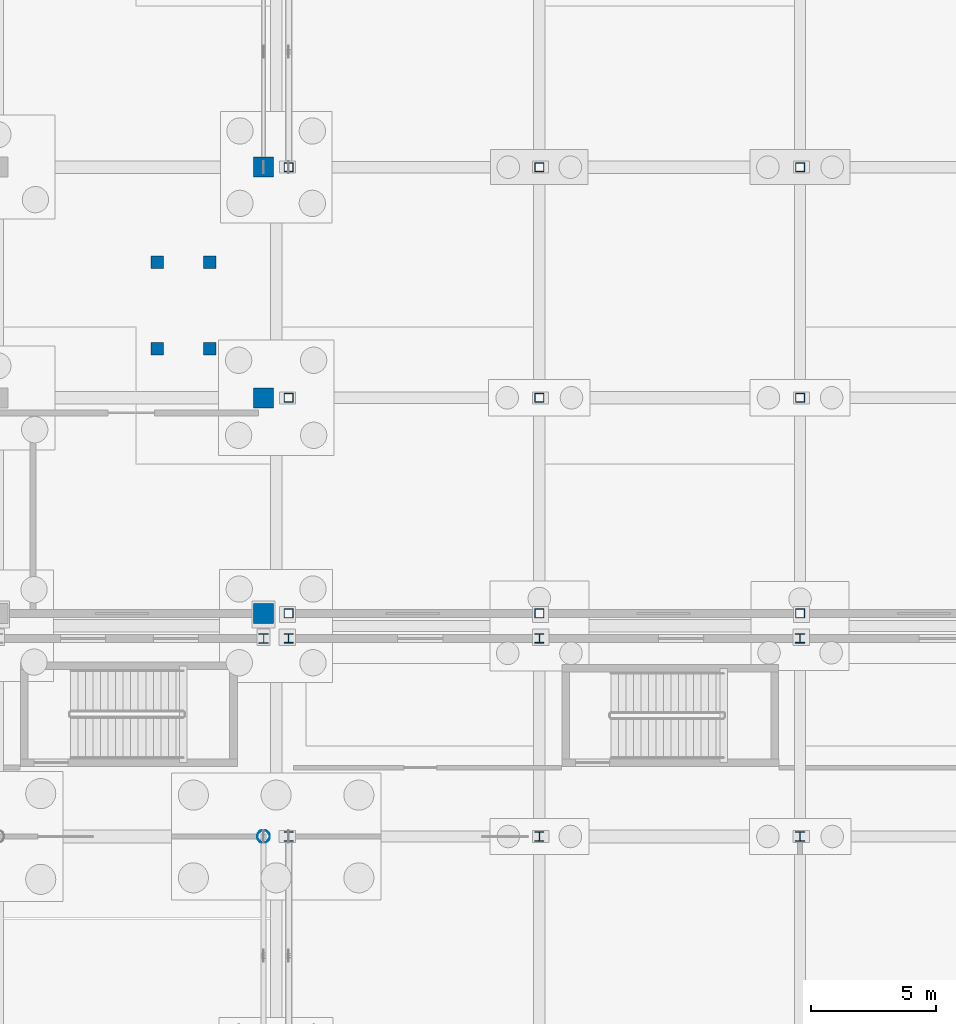
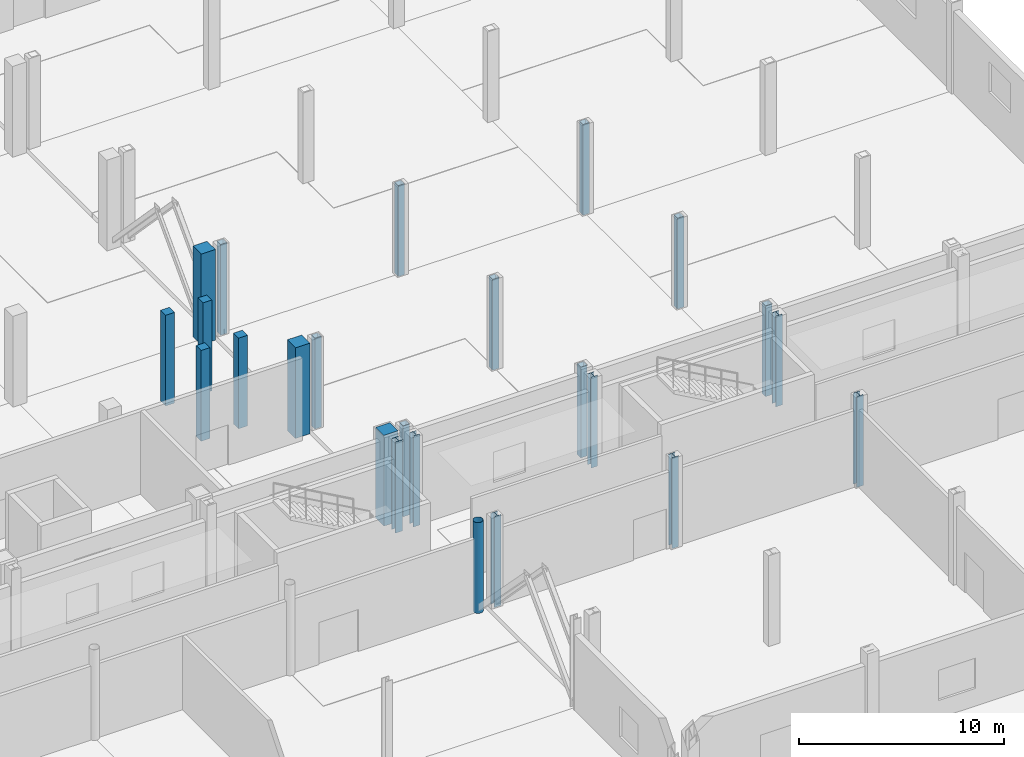
# One storey, part 32 of 83: 24 columns.
"""IFC4 building model written with IfcOpenShell, lengths in metres."""

from ifc_helpers import new_model, si_unit, direction, frame, origin, origin_2d, place, context, subcontext, project, spatial, rectangle, hollow_rectangle, hollow_circle, i_section, extrude, material, material_profile, profile_set, type_object, element, save


model = new_model("IFC4")

# Units and contexts
model_context = context("Model", 3, precision=1e-05, world=origin(), true_north=direction((0.0, 1.0)))
body_context = subcontext(model_context, "Body", "Model", "MODEL_VIEW")
ifc_project = project(units=[si_unit("LENGTHUNIT", "METRE"), si_unit("AREAUNIT", "SQUARE_METRE"), si_unit("VOLUMEUNIT", "CUBIC_METRE"), si_unit("PLANEANGLEUNIT", "RADIAN"), si_unit("MASSUNIT", "GRAM", prefix="KILO")], contexts=[model_context])

# Site, building, storey
site_placement = place(None, origin())
site = spatial("IfcSite", under=ifc_project, at=site_placement, CompositionType="ELEMENT")
building_placement = place(site_placement, origin())
building = spatial("IfcBuilding", under=site, at=building_placement, Name="Caurita Quay Ferry Terminal", CompositionType="ELEMENT")
storey_placement = place(building_placement, origin())
storey = spatial("IfcBuildingStorey", under=building, at=storey_placement, Name="L00", CompositionType="ELEMENT", Elevation=0.0)

# Columns
ifc_material_1 = material(Name="Hollow structural steel ASTM A500 Gr. C", Category="steel")
ifc_material_profile_1 = material_profile(ifc_material_1, hollow_rectangle(XDim=0.35595703125, YDim=0.35595703125, WallThickness=0.01171875, at=origin_2d()), Name="HSS14X14X1/2")
ifc_profile_set_1 = profile_set([ifc_material_profile_1], Name="Hollow structural steel ASTM A500 Gr. C")
column_type_1 = type_object("IfcColumnType", Name="COL-HSS-01", PredefinedType="COLUMN", material=ifc_profile_set_1)
for number, where, z_axis, x_axis, name in (
    (1, (132.800048828125, 71.60009765625, 0.0), (0.0, 0.0, 1.0), (1.0, 0.0, 0.0), "L00 Column V4-15-L"),
    (2, (132.800048828125, 80.199951171875, 0.0), (0.0, 0.0, 1.0), (1.0, 0.0, 0.0), "L00 Column V4-15-M"),
    (3, (132.800048828125, 89.39990234375, 0.0), (0.0, 0.0, 1.0), (1.0, 0.0, 0.0), "L00 Column V4-15-N"),
    (4, (142.800048828125, 71.60009765625, 0.0), (0.0, 0.0, 1.0), (1.0, 0.0, 0.0), "L00 Column V4-16-L"),
    (5, (142.800048828125, 80.199951171875, 0.0), (0.0, 0.0, 1.0), (1.0, 0.0, 0.0), "L00 Column V4-16-M"),
    (6, (142.800048828125, 89.39990234375, 0.0), (0.0, 0.0, 1.0), (1.0, 0.0, 0.0), "L00 Column V4-16-N"),
    (7, (153.199951171875, 71.60009765625, 0.0), (0.0, 0.0, 1.0), (1.0, 0.0, 0.0), "L00 Column V4-17-L"),
    (8, (153.199951171875, 80.199951171875, 0.0), (0.0, 0.0, 1.0), (1.0, 0.0, 0.0), "L00 Column V4-17-M"),
    (9, (153.199951171875, 89.39990234375, 0.0), (0.0, 0.0, 1.0), (1.0, 0.0, 0.0), "L00 Column V4-17-N"),
):
    element("IfcColumn", number, at=place(storey_placement, frame(where, z_axis=z_axis, x_axis=x_axis)), inside=storey, type_object=column_type_1, Name=name, PredefinedType="COLUMN", context=body_context, shape_type="SweptSolid", body=[
        extrude(hollow_rectangle(XDim=0.35595703125, YDim=0.35595703125, WallThickness=0.01171875, at=origin_2d()), origin(), (0.0, 0.0, 1.0), 5.39990234375),
    ])
ifc_material_profile_2 = material_profile(ifc_material_1, hollow_circle(Radius=0.25390625, WallThickness=0.01171875, at=origin_2d()), Name="HSS20.000X0.500")
ifc_profile_set_2 = profile_set([ifc_material_profile_2], Name="Hollow structural steel ASTM A500 Gr. C")
column_type_2 = type_object("IfcColumnType", Name="COL-MST-01", PredefinedType="COLUMN", material=ifc_profile_set_2)
column_1_placement = place(storey_placement, frame((131.800048828125, 62.699951171875, 0.0), z_axis=(0.0, 0.0, 1.0), x_axis=(1.0, 0.0, 0.0)))
element("IfcColumn", 10, at=column_1_placement, inside=storey, type_object=column_type_2, Name="L00 Column V2-MST-14-N", PredefinedType="COLUMN", context=body_context, shape_type="SweptSolid", body=[
    extrude(hollow_circle(Radius=0.25390625, WallThickness=0.01171875, at=origin_2d()), origin(), (0.0, 0.0, 1.0), 5.39990234375),
])
ifc_material_2 = material(Name="Reinforced concrete C35/45", Category="concrete")
ifc_material_profile_3 = material_profile(ifc_material_2, rectangle(XDim=0.5, YDim=0.5, at=origin_2d()), Name="RC-COL-500X500")
ifc_profile_set_3 = profile_set([ifc_material_profile_3], Name="Reinforced concrete C35/45")
column_type_3 = type_object("IfcColumnType", Name="COL-RC-500", PredefinedType="COLUMN", material=ifc_profile_set_3)
for number, where, z_axis, x_axis, name in (
    (11, (127.550048828125, 82.14990234375, 0.0), (0.0, 0.0, 1.0), (1.0, 0.0, 0.0), "L00 Promenade Stair ST-13 Column SW"),
    (12, (127.550048828125, 85.610107421875, 0.0), (0.0, 0.0, 1.0), (1.0, 0.0, 0.0), "L00 Promenade Stair ST-13 Column NW"),
    (13, (129.64990234375, 82.14990234375, 0.0), (0.0, 0.0, 1.0), (1.0, 0.0, 0.0), "L00 Promenade Stair ST-13 Column SE"),
    (14, (129.64990234375, 85.610107421875, 0.0), (0.0, 0.0, 1.0), (1.0, 0.0, 0.0), "L00 Promenade Stair ST-13 Column NE"),
):
    element("IfcColumn", number, at=place(storey_placement, frame(where, z_axis=z_axis, x_axis=x_axis)), inside=storey, type_object=column_type_3, Name=name, PredefinedType="COLUMN", context=body_context, shape_type="SweptSolid", body=[
        extrude(rectangle(XDim=0.5, YDim=0.5, at=origin_2d()), origin(), (0.0, 0.0, 1.0), 5.39990234375),
    ])
ifc_material_3 = material(Name="Marine reinforced concrete C40/50", Category="concrete")
ifc_material_profile_4 = material_profile(ifc_material_3, rectangle(XDim=0.800048828125, YDim=0.800048828125, at=origin_2d()), Name="RC-COL-800X800")
ifc_profile_set_4 = profile_set([ifc_material_profile_4], Name="Marine reinforced concrete C40/50")
column_type_4 = type_object("IfcColumnType", Name="COL-RC-800", PredefinedType="COLUMN", material=ifc_profile_set_4)
for number, where, z_axis, x_axis, name in (
    (15, (131.800048828125, 71.60009765625, 0.0), (0.0, 0.0, 1.0), (1.0, 0.0, 0.0), "L00 Column V4-14-L"),
    (16, (131.800048828125, 80.199951171875, 0.0), (0.0, 0.0, 1.0), (1.0, 0.0, 0.0), "L00 Column V4-14-M"),
    (17, (131.800048828125, 89.39990234375, 0.0), (0.0, 0.0, 1.0), (1.0, 0.0, 0.0), "L00 Column V4-14-N"),
):
    element("IfcColumn", number, at=place(storey_placement, frame(where, z_axis=z_axis, x_axis=x_axis)), inside=storey, type_object=column_type_4, Name=name, PredefinedType="COLUMN", context=body_context, shape_type="SweptSolid", body=[
        extrude(rectangle(XDim=0.800048828125, YDim=0.800048828125, at=origin_2d()), origin(), (0.0, 0.0, 1.0), 5.39990234375),
    ])
ifc_material_4 = material(Name="Structural steel ASTM A992 Gr. 50", Category="steel")
ifc_material_profile_5 = material_profile(ifc_material_4, i_section(OverallWidth=0.398681640625, OverallDepth=0.393798828125, WebThickness=0.022705078125, FlangeThickness=0.03662109375, FilletRadius=0.017822265625, at=origin_2d()), Name="W14X193")
ifc_profile_set_5 = profile_set([ifc_material_profile_5], Name="Structural steel ASTM A992 Gr. 50")
column_type_5 = type_object("IfcColumnType", Name="COL-STL-04", PredefinedType="COLUMN", material=ifc_profile_set_5)
column_2_placement = place(storey_placement, frame((131.800048828125, 70.60009765625, 0.0), z_axis=(0.0, 0.0, 1.0), x_axis=(1.0, 0.0, 0.0)))
element("IfcColumn", 18, at=column_2_placement, inside=storey, type_object=column_type_5, Name="L00 Column V2-NTH-14-K", PredefinedType="COLUMN", context=body_context, shape_type="SweptSolid", body=[
    extrude(i_section(OverallWidth=0.398681640625, OverallDepth=0.393798828125, WebThickness=0.022705078125, FlangeThickness=0.03662109375, FilletRadius=0.017822265625, at=origin_2d()), origin(), (0.0, 0.0, 1.0), 5.39990234375),
])
ifc_material_profile_6 = material_profile(ifc_material_4, i_section(OverallWidth=0.370849609375, OverallDepth=0.36328125, WebThickness=0.01318359375, FlangeThickness=0.021728515625, FilletRadius=0.017822265625, at=origin_2d()), Name="W14X109")
ifc_profile_set_6 = profile_set([ifc_material_profile_6], Name="Structural steel ASTM A992 Gr. 50")
column_type_6 = type_object("IfcColumnType", Name="COL-STL-08", PredefinedType="COLUMN", material=ifc_profile_set_6)
for number, where, z_axis, x_axis, name in (
    (19, (132.800048828125, 62.699951171875, 0.0), (0.0, 0.0, 1.0), (1.0, 0.0, 0.0), "L00 Column V3-HH-15-J"),
    (20, (132.800048828125, 70.60009765625, 0.0), (0.0, 0.0, 1.0), (1.0, 0.0, 0.0), "L00 Column V3-HH-15-K"),
    (21, (142.800048828125, 62.699951171875, 0.0), (0.0, 0.0, 1.0), (1.0, 0.0, 0.0), "L00 Column V3-HH-16-J"),
    (22, (142.800048828125, 70.60009765625, 0.0), (0.0, 0.0, 1.0), (1.0, 0.0, 0.0), "L00 Column V3-HH-16-K"),
    (23, (153.199951171875, 62.699951171875, 0.0), (0.0, 0.0, 1.0), (1.0, 0.0, 0.0), "L00 Column V3-HH-17-J"),
    (24, (153.199951171875, 70.60009765625, 0.0), (0.0, 0.0, 1.0), (1.0, 0.0, 0.0), "L00 Column V3-HH-17-K"),
):
    element("IfcColumn", number, at=place(storey_placement, frame(where, z_axis=z_axis, x_axis=x_axis)), inside=storey, type_object=column_type_6, Name=name, PredefinedType="COLUMN", context=body_context, shape_type="SweptSolid", body=[
        extrude(i_section(OverallWidth=0.370849609375, OverallDepth=0.36328125, WebThickness=0.01318359375, FlangeThickness=0.021728515625, FilletRadius=0.017822265625, at=origin_2d()), origin(), (0.0, 0.0, 1.0), 5.39990234375),
    ])

save(model, "model.ifc")
